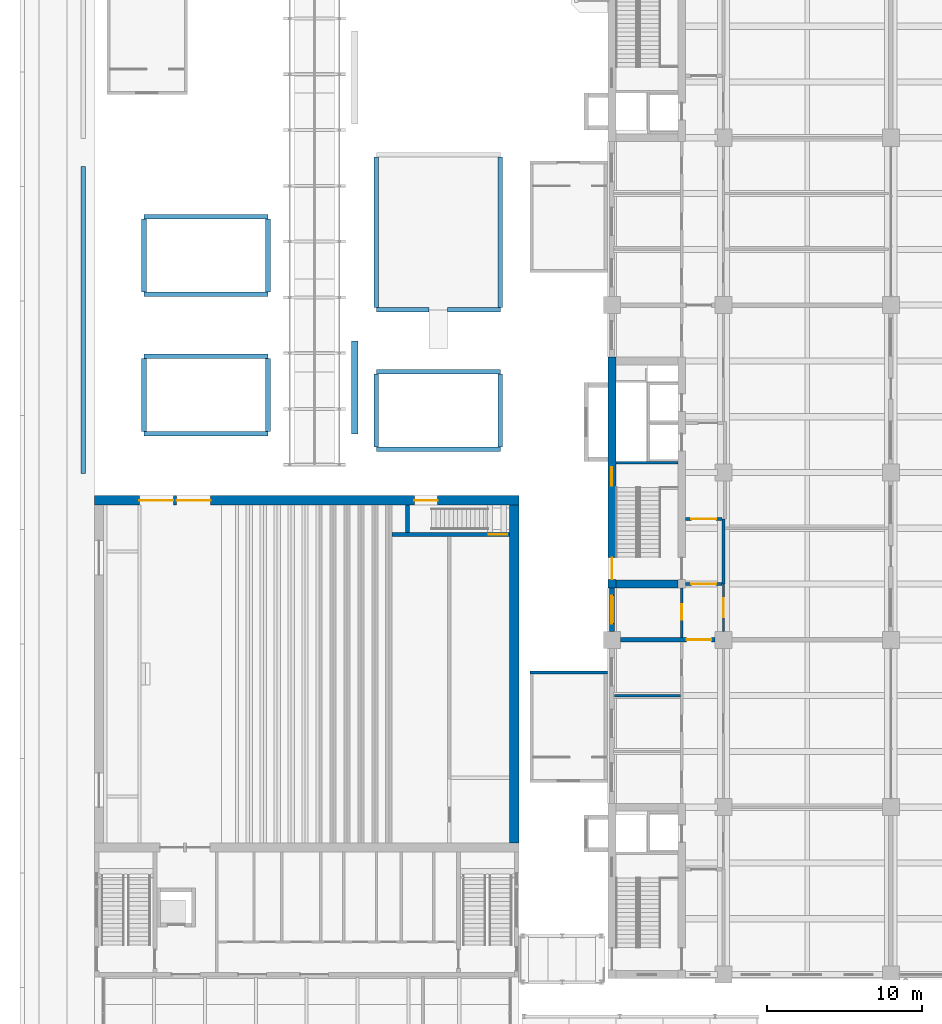
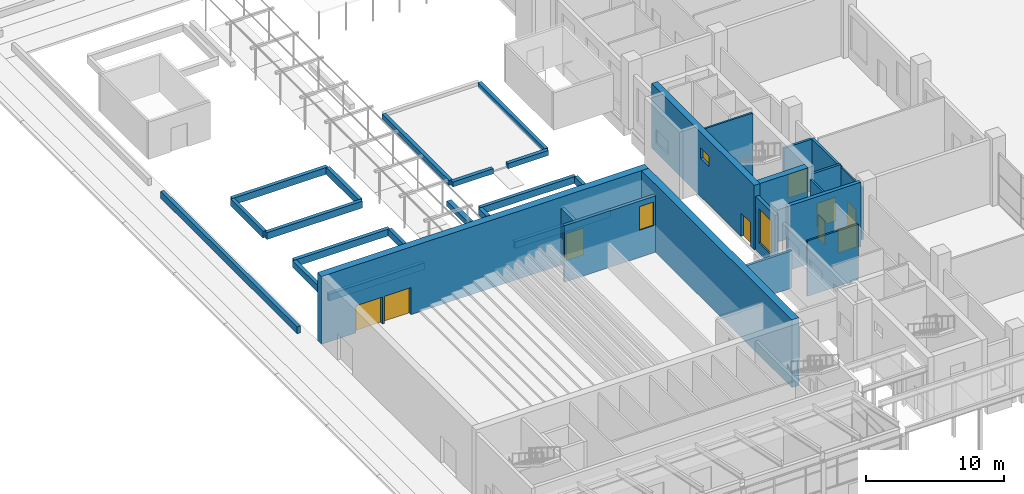
# One storey, part 48 of 71: 34 walls, 10 doors, 2 windows, 12 openings.
"""IFC4 building model written with IfcOpenShell, lengths in metres."""

import ifcopenshell
import ifcopenshell.guid

model = None  # the IFC model being written
_history = None  # IfcOwnerHistory: only IFC2X3 demands one
_inside = {}  # id of a spatial element -> (the spatial element, [elements in it])
_under = {}  # id of a project, library or spatial element -> (it, [spatial elements below it])
_declared = {}  # id of a project -> (the project, [libraries it declares])
_typed = {}  # id of a type object -> (the type object, [elements of that type])
_made_of = {}  # id of a material, layer set ... -> (it, [elements and type objects made of it])


def new_model(schema):
    """Start an empty IFC model of exactly this schema.

    Asked for "IFC4X3", IfcOpenShell would pick the latest addendum, in which some entities
    have other attributes; the version numbers below select the first issue.
    IFC2X3 requires an IfcOwnerHistory on every rooted entity: one is made here for all.
    """
    global model, _history
    if schema == "IFC4X3":
        model = ifcopenshell.file(schema_version=(4, 3, 0, 0))
    else:
        model = ifcopenshell.file(schema=schema)
    _inside.clear()
    _under.clear()
    _declared.clear()
    _typed.clear()
    _made_of.clear()
    _history = None
    if model.schema == "IFC2X3":
        org = make("IfcOrganization", Name="unknown")
        user = make(
            "IfcPersonAndOrganization",
            ThePerson=make("IfcPerson", FamilyName="unknown"),
            TheOrganization=org,
        )
        app = make(
            "IfcApplication",
            ApplicationDeveloper=org,
            Version="unknown",
            ApplicationFullName="unknown",
            ApplicationIdentifier="unknown",
        )
        _history = make(
            "IfcOwnerHistory",
            OwningUser=user,
            OwningApplication=app,
            ChangeAction="ADDED",
            CreationDate=0,
        )
    return model


def make(cls, **values):
    """One entity of the class cls with the attributes given. An attribute that is None is left unset."""
    return model.create_entity(
        cls, **{name: value for name, value in values.items() if value is not None}
    )


def rooted(cls, **values):
    """An entity with a GlobalId (a new one), such as an element, a storey or a relation."""
    return make(cls, GlobalId=ifcopenshell.guid.new(), OwnerHistory=_history, **values)


def si_unit(unit_type, name, prefix=None):
    """IfcSIUnit, for example si_unit("LENGTHUNIT", "METRE", prefix="MILLI")."""
    return make("IfcSIUnit", UnitType=unit_type, Prefix=prefix, Name=name)


def assignment(units):
    """IfcUnitAssignment: the units of a project."""
    return None if units is None else make("IfcUnitAssignment", Units=units)


def point(xyz):
    """IfcCartesianPoint."""
    return None if xyz is None else make("IfcCartesianPoint", Coordinates=xyz)


def direction(xyz):
    """IfcDirection."""
    return None if xyz is None else make("IfcDirection", DirectionRatios=xyz)


def frame(location, z_axis=None, x_axis=None):
    """IfcAxis2Placement3D, a coordinate frame: its origin and axes. An axis left out is left unset."""
    return make(
        "IfcAxis2Placement3D",
        Location=point(location),
        Axis=direction(z_axis),
        RefDirection=direction(x_axis),
    )


def frame_2d(location, x_axis=None):
    """IfcAxis2Placement2D, a coordinate frame in the plane: its origin and x axis."""
    return make(
        "IfcAxis2Placement2D", Location=point(location), RefDirection=direction(x_axis)
    )


def origin():
    """The frame at (0, 0, 0) with its axes left unset."""
    return frame((0.0, 0.0, 0.0))


def place(relative_to, where):
    """IfcLocalPlacement: puts the frame where relative to a parent placement (None: the world)."""
    return make(
        "IfcLocalPlacement", PlacementRelTo=relative_to, RelativePlacement=where
    )


def context(
    kind, dimensions, precision=None, world=None, true_north=None, identifier=None
):
    """IfcGeometricRepresentationContext, for example the 3D "Model" context."""
    return make(
        "IfcGeometricRepresentationContext",
        ContextIdentifier=identifier,
        ContextType=kind,
        CoordinateSpaceDimension=dimensions,
        Precision=precision,
        WorldCoordinateSystem=world,
        TrueNorth=true_north,
    )


def subcontext(parent, identifier, kind, view, scale=None):
    """IfcGeometricRepresentationSubContext, for example "Body" below "Model"."""
    return make(
        "IfcGeometricRepresentationSubContext",
        ContextIdentifier=identifier,
        ContextType=kind,
        ParentContext=parent,
        TargetScale=scale,
        TargetView=view,
    )


def project(units=None, contexts=None):
    """IfcProject with its units and contexts."""
    return rooted(
        "IfcProject",
        Name="project",
        RepresentationContexts=contexts,
        UnitsInContext=assignment(units),
    )


def spatial(cls, under=None, at=None, **own):
    """A site, building, storey or space (cls), placed at a placement, below another one or the project."""
    s = rooted(cls, ObjectPlacement=at, **own)
    if under is not None:
        _under.setdefault(under.id(), (under, []))[1].append(s)
    return s


def profile(cls, at=None, kind="AREA", **sizes):
    """A parametric profile (cls). Its sizes go by their IFC names, for example OverallWidth=200.0."""
    return make(cls, ProfileType=kind, Position=at, **sizes)


def rectangle(**sizes):
    """IfcRectangleProfileDef."""
    return profile("IfcRectangleProfileDef", **sizes)


def extrude(swept, where, along, depth):
    """IfcExtrudedAreaSolid: the profile swept, set in the frame where, extruded along a direction by depth."""
    return make(
        "IfcExtrudedAreaSolid",
        SweptArea=swept,
        Position=where,
        ExtrudedDirection=direction(along),
        Depth=depth,
    )


def shape(context_of_items, identifier, shape_type, items):
    """IfcShapeRepresentation: the items that make up one representation, for example the "Body"."""
    return make(
        "IfcShapeRepresentation",
        ContextOfItems=context_of_items,
        RepresentationIdentifier=identifier,
        RepresentationType=shape_type,
        Items=items,
    )


def material(Name=None, Category=None):
    """IfcMaterial."""
    return make("IfcMaterial", Name=Name, Category=Category)


def layer(
    of_material, thickness, ventilated=None, Name=None, Category=None, Priority=None
):
    """IfcMaterialLayer: one layer of a wall or slab, of a material (None: an air gap)."""
    return make(
        "IfcMaterialLayer",
        Material=of_material,
        LayerThickness=thickness,
        IsVentilated=ventilated,
        Name=Name,
        Category=Category,
        Priority=Priority,
    )


def layer_set(layers, Name=None):
    """IfcMaterialLayerSet."""
    return make("IfcMaterialLayerSet", MaterialLayers=layers, LayerSetName=Name)


def made_of(thing, what):
    """Note that an element or type object is made of a material, layer set ...; save() writes the relation."""
    if what is not None:
        _made_of.setdefault(what.id(), (what, []))[1].append(thing)
    return thing


def type_object(cls, material=None, **own):
    """A type object (cls), such as IfcWallType, which elements share."""
    return made_of(rooted(cls, **own), material)


def element(
    cls,
    number,
    at=None,
    inside=None,
    cuts=None,
    type_object=None,
    material=None,
    context=None,
    identifier="Body",
    shape_type=None,
    held_by="IfcProductDefinitionShape",
    body=None,
    shapes=None,
    **own,
):
    """One element of the class cls, such as IfcWall. Its Tag is "e" and its number.

    at: its placement. inside: the storey or other place that contains it. cuts: it is an
    opening in that element (IfcRelVoidsElement). A single representation is given by context,
    identifier, shape_type and body (its items); several are given by shapes. held_by: the class
    of the entity that holds the representations. save() writes the other relations.
    """
    e = rooted(cls, Tag="e%d" % number, ObjectPlacement=at, **own)
    if body is not None:
        shapes = [shape(context, identifier, shape_type, body)]
    if shapes is not None:
        e.Representation = make(held_by, Representations=shapes)
    if inside is not None:
        _inside.setdefault(inside.id(), (inside, []))[1].append(e)
    if cuts is not None:
        rooted(
            "IfcRelVoidsElement", RelatingBuildingElement=cuts, RelatedOpeningElement=e
        )
    if type_object is not None:
        _typed.setdefault(type_object.id(), (type_object, []))[1].append(e)
    return made_of(e, material)


def fill(opening, filler):
    """IfcRelFillsElement: the door or window that sits in an opening."""
    return rooted(
        "IfcRelFillsElement",
        RelatingOpeningElement=opening,
        RelatedBuildingElement=filler,
    )


def aggregate(whole, parts):
    """IfcRelAggregates: a whole, such as a stair, and the parts it consists of."""
    return rooted("IfcRelAggregates", RelatingObject=whole, RelatedObjects=parts)


def save(model, path):
    """Write the relations noted so far, then the file.

    IfcRelAggregates (storeys below a building ...), IfcRelContainedInSpatialStructure (elements
    in a storey), IfcRelDefinesByType, IfcRelAssociatesMaterial and IfcRelDeclares: one each for
    every whole, place, type object, material and project.
    """
    for whole, parts in _under.values():
        aggregate(whole, parts)
    for where, things in _inside.values():
        rooted(
            "IfcRelContainedInSpatialStructure",
            RelatedElements=things,
            RelatingStructure=where,
        )
    for kind, things in _typed.values():
        rooted("IfcRelDefinesByType", RelatedObjects=things, RelatingType=kind)
    for what, things in _made_of.values():
        rooted("IfcRelAssociatesMaterial", RelatedObjects=things, RelatingMaterial=what)
    for by, libraries in _declared.values():
        rooted("IfcRelDeclares", RelatingContext=by, RelatedDefinitions=libraries)
    model.write(path)


model = new_model("IFC4")

# Units and contexts
model_context = context("Model", 3, precision=1e-05, world=origin(), true_north=direction((0.0, 1.0)))
body_context = subcontext(model_context, "Body", "Model", "MODEL_VIEW")
ifc_project = project(units=[si_unit("LENGTHUNIT", "METRE"), si_unit("AREAUNIT", "SQUARE_METRE"), si_unit("VOLUMEUNIT", "CUBIC_METRE"), si_unit("PLANEANGLEUNIT", "RADIAN"), si_unit("MASSUNIT", "GRAM", prefix="KILO")], contexts=[model_context])

# Site, building, storey
site_placement = place(None, origin())
site = spatial("IfcSite", under=ifc_project, at=site_placement, CompositionType="ELEMENT")
building_placement = place(site_placement, origin())
building = spatial("IfcBuilding", under=site, at=building_placement, Name="Basin Gate Institute", CompositionType="ELEMENT")
storey_placement = place(building_placement, origin())
storey = spatial("IfcBuildingStorey", under=building, at=storey_placement, Name="L00", CompositionType="ELEMENT", Elevation=0.0)

# Wall, opening, door
ifc_material_1 = material(Name="Concrete 40 MPa", Category="concrete")
ifc_layer_1 = layer(ifc_material_1, 0.25)
ifc_layer_set_1 = layer_set([ifc_layer_1], Name="Concrete 40 MPa")
wall_type_1 = type_object("IfcWallType", Name="Block enclosure wall W73 REI 120", PredefinedType="SOLIDWALL", material=ifc_layer_set_1)
wall_1_placement = place(storey_placement, frame((47.0, 63.5, 0.0), z_axis=(0.0, 0.0, 1.0), x_axis=(1.0, 0.0, 0.0)))
wall_1 = element("IfcWall", 1, at=wall_1_placement, inside=storey, type_object=wall_type_1, material=ifc_layer_set_1, Name="Stair enclosure wall ST-T7", PredefinedType="SOLIDWALL", context=body_context, shape_type="SweptSolid", body=[
    extrude(rectangle(XDim=7.60009765625, YDim=0.25, at=frame_2d((3.800048828125, 0.0))), origin(), (0.0, 0.0, 1.0), 5.0),
])
opening_1_placement = place(wall_1_placement, frame((6.25, 0.0, 2.39990234375)))
opening_1 = element("IfcOpeningElement", 2, at=opening_1_placement, cuts=wall_1, Name="Opening D914", PredefinedType="OPENING", context=body_context, shape_type="SweptSolid", body=[
    extrude(rectangle(XDim=1.199951171875, YDim=2.10009765625, at=frame_2d((0.60009765625, 1.050048828125))), frame((0.0, 0.135009765625, 0.0), z_axis=(0.0, -1.0, 0.0), x_axis=(1.0, 0.0, 0.0)), (0.0, 0.0, 1.0), 0.27001953125),
])
ifc_material_2 = material(Name="Timber door leaf in steel frame", Category="steel")
door_type_1 = type_object("IfcDoorType", Name="Block door 1200 single swing", OperationType="NOTDEFINED", PredefinedType="DOOR", material=ifc_material_2)
door_1_placement = place(opening_1_placement, frame((1.199951171875, 0.0, 0.0), z_axis=(0.0, 0.0, 1.0), x_axis=(-1.0, 0.0, 0.0)))
door_1 = element("IfcDoor", 3, at=door_1_placement, inside=storey, type_object=door_type_1, material=ifc_material_2, Name="Lecture Theatre rear platform door from stair ST-T7", OperationType="SINGLE_SWING_LEFT", OverallHeight=2.10009765625, OverallWidth=1.199951171875, PredefinedType="DOOR", context=body_context, shape_type="SweptSolid", body=[
    extrude(rectangle(XDim=1.199951171875, YDim=2.10009765625, at=frame_2d((0.60009765625, 1.050048828125))), frame((0.0, 0.02490234375, 0.0), z_axis=(0.0, -1.0, 0.0), x_axis=(1.0, 0.0, 0.0)), (0.0, 0.0, 1.0), 0.050048828125),
])
fill(opening_1, door_1)

# Walls
wall_2_placement = place(storey_placement, frame((48.0, 63.625, 0.0), z_axis=(0.0, 0.0, 1.0), x_axis=(0.0, 1.0, 0.0)))
element("IfcWall", 4, at=wall_2_placement, inside=storey, type_object=wall_type_1, material=ifc_layer_set_1, Name="Stair enclosure wall ST-T7 west", PredefinedType="SOLIDWALL", context=body_context, shape_type="SweptSolid", body=[
    extrude(rectangle(XDim=1.77490234375, YDim=0.25, at=frame_2d((0.887451171875, 0.0))), origin(), (0.0, 0.0, 1.0), 5.0),
])
ifc_material_3 = material(Name="Concrete 35 MPa", Category="concrete")
ifc_layer_2 = layer(ifc_material_3, 0.300048828125)
ifc_layer_set_2 = layer_set([ifc_layer_2], Name="Concrete 35 MPa")
wall_type_2 = type_object("IfcWallType", Name="Edge planter wall PL2", PredefinedType="SOLIDWALL", material=ifc_layer_set_2)
wall_3_placement = place(storey_placement, frame((27.090087890625, 67.43994140625, 0.0), z_axis=(0.0, 0.0, 1.0), x_axis=(0.0, 1.0, 0.0)))
element("IfcWall", 5, at=wall_3_placement, inside=storey, type_object=wall_type_2, material=ifc_layer_set_2, Name="Edge planter wall W14", PredefinedType="SOLIDWALL", context=body_context, shape_type="SweptSolid", body=[
    extrude(rectangle(XDim=19.800048828125, YDim=0.300048828125, at=frame_2d((9.89990234375, 0.0))), origin(), (0.0, 0.0, 1.0), 0.60009765625),
])

# Wall, opening, door
ifc_material_4 = material(Name="Fire-rated masonry", Category="masonry")
ifc_layer_3 = layer(ifc_material_4, 0.199951171875)
ifc_layer_set_3 = layer_set([ifc_layer_3], Name="Enclosure wall PW2 200 EI 60")
wall_type_3 = type_object("IfcWallType", Name="Enclosure wall PW2 200 EI 60", PredefinedType="PARTITIONING", material=ifc_layer_set_3)
wall_4_placement = place(storey_placement, frame((65.949951171875, 60.300048828125, 0.0), z_axis=(0.0, 0.0, 1.0), x_axis=(1.0, 0.0, 0.0)))
wall_4 = element("IfcWall", 6, at=wall_4_placement, inside=storey, type_object=wall_type_3, material=ifc_layer_set_3, Name="Smoke lobby enclosure wall PW2 L00", PredefinedType="PARTITIONING", context=body_context, shape_type="SweptSolid", body=[
    extrude(rectangle(XDim=2.35009765625, YDim=0.199951171875, at=frame_2d((1.175048828125, 0.0))), origin(), (0.0, 0.0, 1.0), 4.89990234375),
])
opening_2_placement = place(wall_4_placement, frame((0.375, 0.0, 0.0)))
opening_2 = element("IfcOpeningElement", 7, at=opening_2_placement, cuts=wall_4, Name="Opening DR040", PredefinedType="OPENING", context=body_context, shape_type="SweptSolid", body=[
    extrude(rectangle(XDim=1.60009765625, YDim=2.10009765625, at=frame_2d((0.800048828125, 1.050048828125))), frame((0.0, 0.10986328125, 0.0), z_axis=(0.0, -1.0, 0.0), x_axis=(1.0, 0.0, 0.0)), (0.0, 0.0, 1.0), 0.219970703125),
])
ifc_material_5 = material(Name="Steel fire door", Category="steel")
door_type_2 = type_object("IfcDoorType", Name="FD60 Smoke lobby door pair D8", OperationType="DOUBLE_DOOR_SINGLE_SWING", PredefinedType="DOOR", material=ifc_material_5)
door_2_placement = place(opening_2_placement, origin())
door_2 = element("IfcDoor", 8, at=door_2_placement, inside=storey, type_object=door_type_2, material=ifc_material_5, Name="Smoke lobby door SS2 L00", OperationType="DOUBLE_DOOR_SINGLE_SWING", OverallHeight=2.10009765625, OverallWidth=1.60009765625, PredefinedType="DOOR", context=body_context, shape_type="SweptSolid", body=[
    extrude(rectangle(XDim=1.60009765625, YDim=2.10009765625, at=frame_2d((0.800048828125, 1.050048828125))), frame((0.0, 0.02490234375, 0.0), z_axis=(0.0, -1.0, 0.0), x_axis=(1.0, 0.0, 0.0)), (0.0, 0.0, 1.0), 0.050048828125),
])
fill(opening_2, door_2)

wall_5_placement = place(storey_placement, frame((65.949951171875, 64.5, 0.0), z_axis=(0.0, 0.0, 1.0), x_axis=(1.0, 0.0, 0.0)))
wall_5 = element("IfcWall", 9, at=wall_5_placement, inside=storey, type_object=wall_type_3, material=ifc_layer_set_3, Name="Smoke lobby enclosure wall PW2 L00", PredefinedType="PARTITIONING", context=body_context, shape_type="SweptSolid", body=[
    extrude(rectangle(XDim=2.35009765625, YDim=0.199951171875, at=frame_2d((1.175048828125, 0.0))), origin(), (0.0, 0.0, 1.0), 4.60009765625),
])
opening_3_placement = place(wall_5_placement, frame((0.375, 0.0, 0.0)))
opening_3 = element("IfcOpeningElement", 10, at=opening_3_placement, cuts=wall_5, Name="Opening DR041", PredefinedType="OPENING", context=body_context, shape_type="SweptSolid", body=[
    extrude(rectangle(XDim=1.60009765625, YDim=2.10009765625, at=frame_2d((0.800048828125, 1.050048828125))), frame((0.0, 0.10986328125, 0.0), z_axis=(0.0, -1.0, 0.0), x_axis=(1.0, 0.0, 0.0)), (0.0, 0.0, 1.0), 0.219970703125),
])
door_3_placement = place(opening_3_placement, frame((1.60009765625, 0.0, 0.0), z_axis=(0.0, 0.0, 1.0), x_axis=(-1.0, 0.0, 0.0)))
door_3 = element("IfcDoor", 11, at=door_3_placement, inside=storey, type_object=door_type_2, material=ifc_material_5, Name="Smoke lobby door SS2 L00", OperationType="DOUBLE_DOOR_SINGLE_SWING", OverallHeight=2.10009765625, OverallWidth=1.60009765625, PredefinedType="DOOR", context=body_context, shape_type="SweptSolid", body=[
    extrude(rectangle(XDim=1.60009765625, YDim=2.10009765625, at=frame_2d((0.800048828125, 1.050048828125))), frame((0.0, 0.02490234375, 0.0), z_axis=(0.0, -1.0, 0.0), x_axis=(1.0, 0.0, 0.0)), (0.0, 0.0, 1.0), 0.050048828125),
])
fill(opening_3, door_3)

# Wall
wall_6_placement = place(storey_placement, frame((68.39990234375, 60.300048828125, 0.0), z_axis=(0.0, 0.0, 1.0), x_axis=(0.0, 1.0, 0.0)))
element("IfcWall", 12, at=wall_6_placement, inside=storey, type_object=wall_type_3, material=ifc_layer_set_3, Name="Smoke lobby enclosure wall PW2 L00", PredefinedType="PARTITIONING", context=body_context, shape_type="SweptSolid", body=[
    extrude(rectangle(XDim=4.199951171875, YDim=0.199951171875, at=frame_2d((2.10009765625, 0.0))), origin(), (0.0, 0.0, 1.0), 4.60009765625),
])

# Wall, opening, window
ifc_material_6 = material(Name="Aluminium-faced insulated panel wall", Category="aluminium")
ifc_layer_4 = layer(ifc_material_6, 0.300048828125)
ifc_layer_set_4 = layer_set([ifc_layer_4], Name="External wall EW1 EI 120")
wall_type_4 = type_object("IfcWallType", Name="External wall EW1 EI 120", PredefinedType="STANDARD", material=ifc_layer_set_4)
wall_7_placement = place(storey_placement, frame((61.199951171875, 57.25, 0.0), z_axis=(0.0, 0.0, 1.0), x_axis=(0.0, 1.0, 0.0)))
wall_7 = element("IfcWall", 13, at=wall_7_placement, inside=storey, type_object=wall_type_4, material=ifc_layer_set_4, Name="External wall W facade L00 2", PredefinedType="STANDARD", context=body_context, shape_type="SweptSolid", body=[
    extrude(rectangle(XDim=2.800048828125, YDim=0.300048828125, at=frame_2d((1.39990234375, 0.0))), origin(), (0.0, 0.0, 1.0), 4.699951171875),
])
opening_4_placement = place(wall_7_placement, frame((0.5, 0.0, 0.89990234375)))
opening_4 = element("IfcOpeningElement", 14, at=opening_4_placement, cuts=wall_7, Name="Opening WN2", PredefinedType="OPENING", context=body_context, shape_type="SweptSolid", body=[
    extrude(rectangle(XDim=1.800048828125, YDim=3.0, at=frame_2d((0.89990234375, 1.5))), frame((0.0, 0.16015625, 0.0), z_axis=(0.0, -1.0, 0.0), x_axis=(1.0, 0.0, 0.0)), (0.0, 0.0, 1.0), 0.320068359375),
])
ifc_material_7 = material(Name="Aluminium-framed double glazing", Category="aluminium")
window_type_1 = type_object("IfcWindowType", Name="Podium window WN2", PartitioningType="SINGLE_PANEL", PredefinedType="WINDOW", material=ifc_material_7)
window_1_placement = place(opening_4_placement, origin())
window_1 = element("IfcWindow", 15, at=window_1_placement, inside=storey, type_object=window_type_1, material=ifc_material_7, Name="Podium window W facade L00 bay 7", OverallHeight=3.0, OverallWidth=1.800048828125, PartitioningType="SINGLE_PANEL", PredefinedType="WINDOW", context=body_context, shape_type="SweptSolid", body=[
    extrude(rectangle(XDim=1.800048828125, YDim=3.0, at=frame_2d((0.89990234375, 1.5))), frame((0.0, 0.030029296875, 0.0), z_axis=(0.0, -1.0, 0.0), x_axis=(1.0, 0.0, 0.0)), (0.0, 0.0, 1.0), 0.06005859375),
])
fill(opening_4, window_1)

# Wall, opening, door
ifc_material_8 = material(Name="Gypsum board on steel stud", Category="steel")
ifc_layer_5 = layer(ifc_material_8, 0.14990234375)
ifc_layer_set_5 = layer_set([ifc_layer_5], Name="Gypsum board on steel stud")
wall_type_5 = type_object("IfcWallType", Name="Partition PW1 150 EI 60", PredefinedType="PARTITIONING", material=ifc_layer_set_5)
wall_8_placement = place(storey_placement, frame((65.699951171875, 56.85009765625, 0.0), z_axis=(0.0, 0.0, 1.0), x_axis=(0.0, 1.0, 0.0)))
wall_8 = element("IfcWall", 16, at=wall_8_placement, inside=storey, type_object=wall_type_5, material=ifc_layer_set_5, Name="Corridor wall PW1 L00", PredefinedType="PARTITIONING", context=body_context, shape_type="SweptSolid", body=[
    extrude(rectangle(XDim=3.199951171875, YDim=0.14990234375, at=frame_2d((1.60009765625, 0.0))), origin(), (0.0, 0.0, 1.0), 4.60009765625),
])
opening_5_placement = place(wall_8_placement, frame((1.14990234375, 0.0, 0.0)))
opening_5 = element("IfcOpeningElement", 17, at=opening_5_placement, cuts=wall_8, Name="Opening DR026", PredefinedType="OPENING", context=body_context, shape_type="SweptSolid", body=[
    extrude(rectangle(XDim=1.0, YDim=2.10009765625, at=frame_2d((0.5, 1.050048828125))), frame((0.0, 0.0849609375, 0.0), z_axis=(0.0, -1.0, 0.0), x_axis=(1.0, 0.0, 0.0)), (0.0, 0.0, 1.0), 0.169921875),
])
ifc_material_9 = material(Name="Steel fire door", Category="steel")
door_type_3 = type_object("IfcDoorType", Name="FD30 Store door D4", OperationType="NOTDEFINED", PredefinedType="DOOR", material=ifc_material_9)
door_4_placement = place(opening_5_placement, origin())
door_4 = element("IfcDoor", 18, at=door_4_placement, inside=storey, type_object=door_type_3, material=ifc_material_9, Name="Door to Cleaning Store L00", OperationType="SINGLE_SWING_RIGHT", OverallHeight=2.10009765625, OverallWidth=1.0, PredefinedType="DOOR", context=body_context, shape_type="SweptSolid", body=[
    extrude(rectangle(XDim=1.0, YDim=2.10009765625, at=frame_2d((0.5, 1.050048828125))), frame((0.0, 0.02490234375, 0.0), z_axis=(0.0, -1.0, 0.0), x_axis=(1.0, 0.0, 0.0)), (0.0, 0.0, 1.0), 0.050048828125),
])
fill(opening_5, door_4)

wall_9_placement = place(storey_placement, frame((68.39990234375, 57.25, 0.0), z_axis=(0.0, 0.0, 1.0), x_axis=(0.0, 1.0, 0.0)))
wall_9 = element("IfcWall", 19, at=wall_9_placement, inside=storey, type_object=wall_type_5, material=ifc_layer_set_5, Name="Laboratory corridor wall PW1 L00", PredefinedType="PARTITIONING", context=body_context, shape_type="SweptSolid", body=[
    extrude(rectangle(XDim=3.050048828125, YDim=0.14990234375, at=frame_2d((1.52490234375, 0.0))), origin(), (0.0, 0.0, 1.0), 4.60009765625),
])
opening_6_placement = place(wall_9_placement, frame((0.925048828125, 0.0, 0.0)))
opening_6 = element("IfcOpeningElement", 20, at=opening_6_placement, cuts=wall_9, Name="Opening DR023", PredefinedType="OPENING", context=body_context, shape_type="SweptSolid", body=[
    extrude(rectangle(XDim=1.199951171875, YDim=2.10009765625, at=frame_2d((0.60009765625, 1.050048828125))), frame((0.0, 0.0849609375, 0.0), z_axis=(0.0, -1.0, 0.0), x_axis=(1.0, 0.0, 0.0)), (0.0, 0.0, 1.0), 0.169921875),
])
ifc_material_10 = material(Name="Timber fire door", Category="wood")
door_type_4 = type_object("IfcDoorType", Name="FD30 Laboratory door D2", OperationType="DOUBLE_DOOR_SINGLE_SWING", PredefinedType="DOOR", material=ifc_material_10)
door_5_placement = place(opening_6_placement, frame((1.199951171875, 0.0, 0.0), z_axis=(0.0, 0.0, 1.0), x_axis=(-1.0, 0.0, 0.0)))
door_5 = element("IfcDoor", 21, at=door_5_placement, inside=storey, type_object=door_type_4, material=ifc_material_10, Name="Door to Cafe 0019 L00", OperationType="DOUBLE_DOOR_SINGLE_SWING", OverallHeight=2.10009765625, OverallWidth=1.199951171875, PredefinedType="DOOR", context=body_context, shape_type="SweptSolid", body=[
    extrude(rectangle(XDim=1.199951171875, YDim=2.10009765625, at=frame_2d((0.60009765625, 1.050048828125))), frame((0.0, 0.02490234375, 0.0), z_axis=(0.0, -1.0, 0.0), x_axis=(1.0, 0.0, 0.0)), (0.0, 0.0, 1.0), 0.050048828125),
])
fill(opening_6, door_5)

# Walls
ifc_material_11 = material(Name="Gypsum board on steel stud", Category="steel")
ifc_layer_6 = layer(ifc_material_11, 0.14990234375)
ifc_layer_set_6 = layer_set([ifc_layer_6], Name="Gypsum board on steel stud")
wall_type_6 = type_object("IfcWallType", Name="Partition PW4 150", PredefinedType="PARTITIONING", material=ifc_layer_set_6)
wall_10_placement = place(storey_placement, frame((61.35009765625, 53.10009765625, 0.0), z_axis=(0.0, 0.0, 1.0), x_axis=(1.0, 0.0, 0.0)))
element("IfcWall", 22, at=wall_10_placement, inside=storey, type_object=wall_type_6, material=ifc_layer_set_6, Name="Office partition PW4 L00", PredefinedType="PARTITIONING", context=body_context, shape_type="SweptSolid", body=[
    extrude(rectangle(XDim=4.27490234375, YDim=0.14990234375, at=frame_2d((2.137451171875, 0.0))), origin(), (0.0, 0.0, 1.0), 4.89990234375),
])
ifc_material_12 = material(Name="Concrete 35 MPa", Category="concrete")
ifc_layer_7 = layer(ifc_material_12, 0.300048828125)
ifc_layer_set_7 = layer_set([ifc_layer_7], Name="Concrete 35 MPa")
wall_type_7 = type_object("IfcWallType", Name="Planter bed wall PL3", PredefinedType="SOLIDWALL", material=ifc_layer_set_7)
for number, where, z_axis, x_axis, name in (
    (23, (31.0, 70.0, 0.0), (0.0, 0.0, 1.0), (1.0, 0.0, 0.0), "Laboratory Garden planter bed 1 wall (soil 550 mm) S"),
    (24, (31.0, 75.0, 0.0), (0.0, 0.0, 1.0), (1.0, 0.0, 0.0), "Laboratory Garden planter bed 1 wall (soil 550 mm) N"),
):
    element("IfcWall", number, at=place(storey_placement, frame(where, z_axis=z_axis, x_axis=x_axis)), inside=storey, type_object=wall_type_7, material=ifc_layer_set_7, Name=name, PredefinedType="SOLIDWALL", context=body_context, shape_type="SweptSolid", body=[
        extrude(rectangle(XDim=8.0, YDim=0.300048828125, at=frame_2d((4.0, 0.0))), origin(), (0.0, 0.0, 1.0), 0.60009765625),
    ])
for number, where, z_axis, x_axis, name in (
    (25, (31.0, 70.14990234375, 0.0), (0.0, 0.0, 1.0), (0.0, 1.0, 0.0), "Laboratory Garden planter bed 1 wall (soil 550 mm) W"),
    (26, (39.0, 70.14990234375, 0.0), (0.0, 0.0, 1.0), (0.0, 1.0, 0.0), "Laboratory Garden planter bed 1 wall (soil 550 mm) E"),
):
    element("IfcWall", number, at=place(storey_placement, frame(where, z_axis=z_axis, x_axis=x_axis)), inside=storey, type_object=wall_type_7, material=ifc_layer_set_7, Name=name, PredefinedType="SOLIDWALL", context=body_context, shape_type="SweptSolid", body=[
        extrude(rectangle(XDim=4.7001953125, YDim=0.300048828125, at=frame_2d((2.35009765625, 0.0))), origin(), (0.0, 0.0, 1.0), 0.60009765625),
    ])
for number, where, z_axis, x_axis, name in (
    (27, (31.0, 79.0, 0.0), (0.0, 0.0, 1.0), (1.0, 0.0, 0.0), "Laboratory Garden planter bed 2 wall (soil 550 mm) S"),
    (28, (31.0, 84.0, 0.0), (0.0, 0.0, 1.0), (1.0, 0.0, 0.0), "Laboratory Garden planter bed 2 wall (soil 550 mm) N"),
):
    element("IfcWall", number, at=place(storey_placement, frame(where, z_axis=z_axis, x_axis=x_axis)), inside=storey, type_object=wall_type_7, material=ifc_layer_set_7, Name=name, PredefinedType="SOLIDWALL", context=body_context, shape_type="SweptSolid", body=[
        extrude(rectangle(XDim=8.0, YDim=0.300048828125, at=frame_2d((4.0, 0.0))), origin(), (0.0, 0.0, 1.0), 0.60009765625),
    ])
for number, where, z_axis, x_axis, name in (
    (29, (31.0, 79.14990234375, 0.0), (0.0, 0.0, 1.0), (0.0, 1.0, 0.0), "Laboratory Garden planter bed 2 wall (soil 550 mm) W"),
    (30, (39.0, 79.14990234375, 0.0), (0.0, 0.0, 1.0), (0.0, 1.0, 0.0), "Laboratory Garden planter bed 2 wall (soil 550 mm) E"),
):
    element("IfcWall", number, at=place(storey_placement, frame(where, z_axis=z_axis, x_axis=x_axis)), inside=storey, type_object=wall_type_7, material=ifc_layer_set_7, Name=name, PredefinedType="SOLIDWALL", context=body_context, shape_type="SweptSolid", body=[
        extrude(rectangle(XDim=4.7001953125, YDim=0.300048828125, at=frame_2d((2.35009765625, 0.0))), origin(), (0.0, 0.0, 1.0), 0.60009765625),
    ])
for number, where, z_axis, x_axis, name in (
    (31, (46.0, 69.0, 0.0), (0.0, 0.0, 1.0), (1.0, 0.0, 0.0), "Laboratory Garden planter bed 4 wall (soil 550 mm) S"),
    (32, (46.0, 74.0, 0.0), (0.0, 0.0, 1.0), (1.0, 0.0, 0.0), "Laboratory Garden planter bed 4 wall (soil 550 mm) N"),
):
    element("IfcWall", number, at=place(storey_placement, frame(where, z_axis=z_axis, x_axis=x_axis)), inside=storey, type_object=wall_type_7, material=ifc_layer_set_7, Name=name, PredefinedType="SOLIDWALL", context=body_context, shape_type="SweptSolid", body=[
        extrude(rectangle(XDim=8.0, YDim=0.300048828125, at=frame_2d((4.0, 0.0))), origin(), (0.0, 0.0, 1.0), 0.60009765625),
    ])
for number, where, z_axis, x_axis, name in (
    (33, (46.0, 69.14990234375, 0.0), (0.0, 0.0, 1.0), (0.0, 1.0, 0.0), "Laboratory Garden planter bed 4 wall (soil 550 mm) W"),
    (34, (54.0, 69.14990234375, 0.0), (0.0, 0.0, 1.0), (0.0, 1.0, 0.0), "Laboratory Garden planter bed 4 wall (soil 550 mm) E"),
):
    element("IfcWall", number, at=place(storey_placement, frame(where, z_axis=z_axis, x_axis=x_axis)), inside=storey, type_object=wall_type_7, material=ifc_layer_set_7, Name=name, PredefinedType="SOLIDWALL", context=body_context, shape_type="SweptSolid", body=[
        extrude(rectangle(XDim=4.7001953125, YDim=0.300048828125, at=frame_2d((2.35009765625, 0.0))), origin(), (0.0, 0.0, 1.0), 0.60009765625),
    ])
ifc_material_13 = material(Name="Concrete 35 MPa", Category="concrete")
ifc_layer_8 = layer(ifc_material_13, 0.300048828125)
ifc_layer_set_8 = layer_set([ifc_layer_8], Name="Concrete 35 MPa")
wall_type_8 = type_object("IfcWallType", Name="Rain garden wall RG1", PredefinedType="SOLIDWALL", material=ifc_layer_set_8)
for number, where, z_axis, x_axis, name in (
    (35, (46.0, 78.0, 0.0), (0.0, 0.0, 1.0), (1.0, 0.0, 0.0), "Laboratory Garden rain garden 1 wall S"),
    (36, (50.60009765625, 78.0, 0.0), (0.0, 0.0, 1.0), (1.0, 0.0, 0.0), "Laboratory Garden rain garden 1 wall S"),
):
    element("IfcWall", number, at=place(storey_placement, frame(where, z_axis=z_axis, x_axis=x_axis)), inside=storey, type_object=wall_type_8, material=ifc_layer_set_8, Name=name, PredefinedType="SOLIDWALL", context=body_context, shape_type="SweptSolid", body=[
        extrude(rectangle(XDim=3.39990234375, YDim=0.300048828125, at=frame_2d((1.699951171875, 0.0))), origin(), (0.0, 0.0, 1.0), 0.449951171875),
    ])
for number, where, z_axis, x_axis, name in (
    (37, (46.0, 78.14990234375, 0.0), (0.0, 0.0, 1.0), (0.0, 1.0, 0.0), "Laboratory Garden rain garden 1 wall W"),
    (38, (54.0, 78.14990234375, 0.0), (0.0, 0.0, 1.0), (0.0, 1.0, 0.0), "Laboratory Garden rain garden 1 wall E"),
):
    element("IfcWall", number, at=place(storey_placement, frame(where, z_axis=z_axis, x_axis=x_axis)), inside=storey, type_object=wall_type_8, material=ifc_layer_set_8, Name=name, PredefinedType="SOLIDWALL", context=body_context, shape_type="SweptSolid", body=[
        extrude(rectangle(XDim=9.7001953125, YDim=0.300048828125, at=frame_2d((4.85009765625, 0.0))), origin(), (0.0, 0.0, 1.0), 0.449951171875),
    ])
ifc_material_14 = material(Name="Concrete 35 MPa", Category="concrete")
ifc_layer_9 = layer(ifc_material_14, 0.39990234375)
ifc_layer_set_9 = layer_set([ifc_layer_9], Name="Concrete 35 MPa")
wall_type_9 = type_object("IfcWallType", Name="Seating wall LW1", PredefinedType="SOLIDWALL", material=ifc_layer_set_9)
wall_11_placement = place(storey_placement, frame((44.60009765625, 70.0, 0.0), z_axis=(0.0, 0.0, 1.0), x_axis=(0.0, 1.0, 0.0)))
element("IfcWall", 39, at=wall_11_placement, inside=storey, type_object=wall_type_9, material=ifc_layer_set_9, Name="Laboratory Garden seating wall 1", PredefinedType="SOLIDWALL", context=body_context, shape_type="SweptSolid", body=[
    extrude(rectangle(XDim=6.0, YDim=0.39990234375, at=frame_2d((3.0, 0.0))), origin(), (0.0, 0.0, 1.0), 0.449951171875),
])
ifc_material_15 = material(Name="Concrete 35 MPa", Category="concrete")
ifc_layer_10 = layer(ifc_material_15, 0.199951171875)
ifc_layer_set_10 = layer_set([ifc_layer_10], Name="Concrete 35 MPa")
wall_type_10 = type_object("IfcWallType", Name="Stair head house wall 200", PredefinedType="SOLIDWALL", material=ifc_layer_set_10)
wall_12_placement = place(storey_placement, frame((55.89990234375, 54.60009765625, 0.0), z_axis=(0.0, 0.0, 1.0), x_axis=(1.0, 0.0, 0.0)))
element("IfcWall", 40, at=wall_12_placement, inside=storey, type_object=wall_type_10, material=ifc_layer_set_10, Name="Stair head house BS1 wall", PredefinedType="SOLIDWALL", context=body_context, shape_type="SweptSolid", body=[
    extrude(rectangle(XDim=5.0, YDim=0.199951171875, at=frame_2d((2.5, 0.0))), origin(), (0.0, 0.0, 1.0), 3.300048828125),
])
ifc_material_16 = material(Name="Concrete 50 MPa", Category="concrete")
ifc_layer_11 = layer(ifc_material_16, 0.60009765625)
ifc_layer_set_11 = layer_set([ifc_layer_11], Name="Concrete 50 MPa")
wall_type_11 = type_object("IfcWallType", Name="Theatre auditorium wall W79 REI 180", PredefinedType="SOLIDWALL", material=ifc_layer_set_11)
wall_13_placement = place(storey_placement, frame((54.89990234375, 43.60009765625, 0.0), z_axis=(0.0, 0.0, 1.0), x_axis=(0.0, 1.0, 0.0)))
element("IfcWall", 41, at=wall_13_placement, inside=storey, type_object=wall_type_11, material=ifc_layer_set_11, Name="Theatre rear end wall L00", PredefinedType="SOLIDWALL", context=body_context, shape_type="SweptSolid", body=[
    extrude(rectangle(XDim=21.7998046875, YDim=0.60009765625, at=frame_2d((10.89990234375, 0.0))), origin(), (0.0, 0.0, 1.0), 6.0),
])

# Wall, openings, doors
wall_14_placement = place(storey_placement, frame((27.800048828125, 65.699951171875, 0.0), z_axis=(0.0, 0.0, 1.0), x_axis=(1.0, 0.0, 0.0)))
wall_14 = element("IfcWall", 42, at=wall_14_placement, inside=storey, type_object=wall_type_11, material=ifc_layer_set_11, Name="Theatre auditorium north wall L00", PredefinedType="SOLIDWALL", context=body_context, shape_type="SweptSolid", body=[
    extrude(rectangle(XDim=27.39990234375, YDim=0.60009765625, at=frame_2d((13.699951171875, 0.0))), origin(), (0.0, 0.0, 1.0), 6.0),
])
opening_7_placement = place(wall_14_placement, frame((2.89990234375, 0.0, 0.0)))
opening_7 = element("IfcOpeningElement", 43, at=opening_7_placement, cuts=wall_14, Name="Opening D910", PredefinedType="OPENING", context=body_context, shape_type="SweptSolid", body=[
    extrude(rectangle(XDim=2.199951171875, YDim=2.39990234375, at=frame_2d((1.10009765625, 1.199951171875))), frame((0.0, 0.31005859375, 0.0), z_axis=(0.0, -1.0, 0.0), x_axis=(1.0, 0.0, 0.0)), (0.0, 0.0, 1.0), 0.6201171875),
])
opening_8_placement = place(wall_14_placement, frame((5.300048828125, 0.0, 0.0)))
opening_8 = element("IfcOpeningElement", 44, at=opening_8_placement, cuts=wall_14, Name="Opening D911", PredefinedType="OPENING", context=body_context, shape_type="SweptSolid", body=[
    extrude(rectangle(XDim=2.199951171875, YDim=2.39990234375, at=frame_2d((1.10009765625, 1.199951171875))), frame((0.0, 0.31005859375, 0.0), z_axis=(0.0, -1.0, 0.0), x_axis=(1.0, 0.0, 0.0)), (0.0, 0.0, 1.0), 0.6201171875),
])
opening_9_placement = place(wall_14_placement, frame((20.64990234375, 0.0, 0.0)))
opening_9 = element("IfcOpeningElement", 45, at=opening_9_placement, cuts=wall_14, Name="Opening D915", PredefinedType="OPENING", context=body_context, shape_type="SweptSolid", body=[
    extrude(rectangle(XDim=1.5, YDim=2.39990234375, at=frame_2d((0.75, 1.199951171875))), frame((0.0, 0.31005859375, 0.0), z_axis=(0.0, -1.0, 0.0), x_axis=(1.0, 0.0, 0.0)), (0.0, 0.0, 1.0), 0.6201171875),
])
ifc_material_17 = material(Name="Steel door leaf with glazed vision panel", Category="steel")
door_type_5 = type_object("IfcDoorType", Name="Block door 2200 double swing", OperationType="DOUBLE_DOOR_SINGLE_SWING", PredefinedType="DOOR", material=ifc_material_17)
door_6_placement = place(opening_7_placement, origin())
door_6 = element("IfcDoor", 46, at=door_6_placement, inside=storey, type_object=door_type_5, material=ifc_material_17, Name="Final exit Lecture Theatre N1", OperationType="DOUBLE_DOOR_SINGLE_SWING", OverallHeight=2.39990234375, OverallWidth=2.199951171875, PredefinedType="DOOR", context=body_context, shape_type="SweptSolid", body=[
    extrude(rectangle(XDim=2.199951171875, YDim=2.39990234375, at=frame_2d((1.10009765625, 1.199951171875))), frame((0.0, 0.02490234375, 0.0), z_axis=(0.0, -1.0, 0.0), x_axis=(1.0, 0.0, 0.0)), (0.0, 0.0, 1.0), 0.050048828125),
])
fill(opening_7, door_6)
door_7_placement = place(opening_8_placement, origin())
door_7 = element("IfcDoor", 47, at=door_7_placement, inside=storey, type_object=door_type_5, material=ifc_material_17, Name="Final exit Lecture Theatre N2", OperationType="DOUBLE_DOOR_SINGLE_SWING", OverallHeight=2.39990234375, OverallWidth=2.199951171875, PredefinedType="DOOR", context=body_context, shape_type="SweptSolid", body=[
    extrude(rectangle(XDim=2.199951171875, YDim=2.39990234375, at=frame_2d((1.10009765625, 1.199951171875))), frame((0.0, 0.02490234375, 0.0), z_axis=(0.0, -1.0, 0.0), x_axis=(1.0, 0.0, 0.0)), (0.0, 0.0, 1.0), 0.050048828125),
])
fill(opening_8, door_7)
ifc_material_18 = material(Name="Steel fire door leaf with fire-rated glazed vision panel", Category="steel")
door_type_6 = type_object("IfcDoorType", Name="FD60 Exit door 1500 single swing", OperationType="NOTDEFINED", PredefinedType="DOOR", material=ifc_material_18)
door_8_placement = place(opening_9_placement, origin())
door_8 = element("IfcDoor", 48, at=door_8_placement, inside=storey, type_object=door_type_6, material=ifc_material_18, Name="Final exit Lecture Theatre stair ST-T7", OperationType="SINGLE_SWING_LEFT", OverallHeight=2.39990234375, OverallWidth=1.5, PredefinedType="DOOR", context=body_context, shape_type="SweptSolid", body=[
    extrude(rectangle(XDim=1.5, YDim=2.39990234375, at=frame_2d((0.75, 1.199951171875))), frame((0.0, 0.02490234375, 0.0), z_axis=(0.0, -1.0, 0.0), x_axis=(1.0, 0.0, 0.0)), (0.0, 0.0, 1.0), 0.050048828125),
])
fill(opening_9, door_8)

# Wall
ifc_material_19 = material(Name="Concrete 40 MPa", Category="concrete")
ifc_layer_12 = layer(ifc_material_19, 0.14990234375)
ifc_layer_set_12 = layer_set([ifc_layer_12], Name="Concrete 40 MPa")
wall_type_12 = type_object("IfcWallType", Name="Wall SE1 stair enclosure R180", PredefinedType="SOLIDWALL", material=ifc_layer_set_12)
wall_15_placement = place(storey_placement, frame((61.449951171875, 68.125, 0.0), z_axis=(0.0, 0.0, 1.0), x_axis=(1.0, 0.0, 0.0)))
element("IfcWall", 49, at=wall_15_placement, inside=storey, type_object=wall_type_12, material=ifc_layer_set_12, Name="Stair enclosure wall ST-WM L00", PredefinedType="SOLIDWALL", context=body_context, shape_type="SweptSolid", body=[
    extrude(rectangle(XDim=4.0, YDim=0.14990234375, at=frame_2d((2.0, 0.0))), origin(), (0.0, 0.0, 1.0), 5.699951171875),
])

# Wall, openings, door, window
ifc_material_20 = material(Name="Concrete 60 MPa", Category="concrete")
ifc_layer_13 = layer(ifc_material_20, 0.5)
ifc_layer_set_13 = layer_set([ifc_layer_13], Name="Concrete 60 MPa")
wall_type_13 = type_object("IfcWallType", Name="Wall SW1 R180", PredefinedType="SHEAR", material=ifc_layer_set_13)
wall_16_placement = place(storey_placement, frame((61.199951171875, 60.050048828125, 0.0), z_axis=(0.0, 0.0, 1.0), x_axis=(0.0, 1.0, 0.0)))
wall_16 = element("IfcWall", 50, at=wall_16_placement, inside=storey, type_object=wall_type_13, material=ifc_layer_set_13, Name="WALL/L00/WM/L", PredefinedType="SHEAR", context=body_context, shape_type="SweptSolid", body=[
    extrude(rectangle(XDim=14.89990234375, YDim=0.5, at=frame_2d((7.449951171875, 0.0))), origin(), (0.0, 0.0, 1.0), 5.699951171875),
])
opening_10_placement = place(wall_16_placement, frame((0.550048828125, 0.0, 0.0)))
opening_10 = element("IfcOpeningElement", 51, at=opening_10_placement, cuts=wall_16, Name="Opening DX02", PredefinedType="OPENING", context=body_context, shape_type="SweptSolid", body=[
    extrude(rectangle(XDim=1.39990234375, YDim=2.10009765625, at=frame_2d((0.699951171875, 1.050048828125))), frame((0.0, 0.260009765625, 0.0), z_axis=(0.0, -1.0, 0.0), x_axis=(1.0, 0.0, 0.0)), (0.0, 0.0, 1.0), 0.52001953125),
])
opening_11_placement = place(wall_16_placement, frame((6.580078125, 0.0, 3.39990234375)))
opening_11 = element("IfcOpeningElement", 52, at=opening_11_placement, cuts=wall_16, Name="Opening WT1", PredefinedType="OPENING", context=body_context, shape_type="SweptSolid", body=[
    extrude(rectangle(XDim=1.199951171875, YDim=0.89990234375, at=frame_2d((0.60009765625, 0.449951171875))), frame((0.0, 0.260009765625, 0.0), z_axis=(0.0, -1.0, 0.0), x_axis=(1.0, 0.0, 0.0)), (0.0, 0.0, 1.0), 0.52001953125),
])
ifc_material_21 = material(Name="Steel fire door", Category="steel")
door_type_7 = type_object("IfcDoorType", Name="FD60 Final exit door DX", OperationType="DOUBLE_DOOR_SINGLE_SWING", PredefinedType="DOOR", material=ifc_material_21)
door_9_placement = place(opening_10_placement, origin())
door_9 = element("IfcDoor", 53, at=door_9_placement, inside=storey, type_object=door_type_7, material=ifc_material_21, Name="Final exit ST-WM to the plaza", OperationType="DOUBLE_DOOR_SINGLE_SWING", OverallHeight=2.10009765625, OverallWidth=1.39990234375, PredefinedType="DOOR", context=body_context, shape_type="SweptSolid", body=[
    extrude(rectangle(XDim=1.39990234375, YDim=2.10009765625, at=frame_2d((0.699951171875, 1.050048828125))), frame((0.0, 0.02490234375, 0.0), z_axis=(0.0, -1.0, 0.0), x_axis=(1.0, 0.0, 0.0)), (0.0, 0.0, 1.0), 0.050048828125),
])
fill(opening_10, door_9)
ifc_material_22 = material(Name="Fire-resistant glazing in steel-free frame", Category="steel")
window_type_2 = type_object("IfcWindowType", Name="Rated stair window EI 180 WT1", PartitioningType="SINGLE_PANEL", PredefinedType="WINDOW", material=ifc_material_22)
window_2_placement = place(opening_11_placement, origin())
window_2 = element("IfcWindow", 54, at=window_2_placement, inside=storey, type_object=window_type_2, material=ifc_material_22, Name="Rated stair window EI 180 WM landing L00", OverallHeight=0.89990234375, OverallWidth=1.199951171875, PartitioningType="SINGLE_PANEL", PredefinedType="WINDOW", context=body_context, shape_type="SweptSolid", body=[
    extrude(rectangle(XDim=1.199951171875, YDim=0.89990234375, at=frame_2d((0.60009765625, 0.449951171875))), frame((0.0, 0.030029296875, 0.0), z_axis=(0.0, -1.0, 0.0), x_axis=(1.0, 0.0, 0.0)), (0.0, 0.0, 1.0), 0.06005859375),
])
fill(opening_11, window_2)

# Wall
wall_17_placement = place(storey_placement, frame((61.449951171875, 60.300048828125, 0.0), z_axis=(0.0, 0.0, 1.0), x_axis=(1.0, 0.0, 0.0)))
element("IfcWall", 55, at=wall_17_placement, inside=storey, type_object=wall_type_13, material=ifc_layer_set_13, Name="WALL/L00/WM/S", PredefinedType="SHEAR", context=body_context, shape_type="SweptSolid", body=[
    extrude(rectangle(XDim=4.0, YDim=0.5, at=frame_2d((2.0, 0.0))), origin(), (0.0, 0.0, 1.0), 5.699951171875),
])

# Wall, opening, door
ifc_material_23 = material(Name="Concrete 50 MPa", Category="concrete")
ifc_layer_14 = layer(ifc_material_23, 0.300048828125)
ifc_layer_set_14 = layer_set([ifc_layer_14], Name="Concrete 50 MPa")
wall_type_14 = type_object("IfcWallType", Name="Wall XW1 R180", PredefinedType="SHEAR", material=ifc_layer_set_14)
wall_18_placement = place(storey_placement, frame((61.75, 56.699951171875, 0.0), z_axis=(0.0, 0.0, 1.0), x_axis=(1.0, 0.0, 0.0)))
wall_18 = element("IfcWall", 56, at=wall_18_placement, inside=storey, type_object=wall_type_14, material=ifc_layer_set_14, Name="WALL/L00/WXC/1", PredefinedType="SHEAR", context=body_context, shape_type="SweptSolid", body=[
    extrude(rectangle(XDim=6.10009765625, YDim=0.300048828125, at=frame_2d((3.050048828125, 0.0))), origin(), (0.0, 0.0, 1.0), 5.699951171875),
])
opening_12_placement = place(wall_18_placement, frame((4.262451171875, 0.0, 0.0)))
opening_12 = element("IfcOpeningElement", 57, at=opening_12_placement, cuts=wall_18, Name="Opening DR043", PredefinedType="OPENING", context=body_context, shape_type="SweptSolid", body=[
    extrude(rectangle(XDim=1.60009765625, YDim=2.10009765625, at=frame_2d((0.800048828125, 1.050048828125))), frame((0.0, 0.16015625, 0.0), z_axis=(0.0, -1.0, 0.0), x_axis=(1.0, 0.0, 0.0)), (0.0, 0.0, 1.0), 0.320068359375),
])
ifc_material_24 = material(Name="Steel fire door", Category="steel")
door_type_8 = type_object("IfcDoorType", Name="FD60 Compartment door pair D7", OperationType="DOUBLE_DOOR_SINGLE_SWING", PredefinedType="DOOR", material=ifc_material_24)
door_10_placement = place(opening_12_placement, origin())
door_10 = element("IfcDoor", 58, at=door_10_placement, inside=storey, type_object=door_type_8, material=ifc_material_24, Name="Compartment door pair L00 W1 L00", OperationType="DOUBLE_DOOR_SINGLE_SWING", OverallHeight=2.10009765625, OverallWidth=1.60009765625, PredefinedType="DOOR", context=body_context, shape_type="SweptSolid", body=[
    extrude(rectangle(XDim=1.60009765625, YDim=2.10009765625, at=frame_2d((0.800048828125, 1.050048828125))), frame((0.0, 0.02490234375, 0.0), z_axis=(0.0, -1.0, 0.0), x_axis=(1.0, 0.0, 0.0)), (0.0, 0.0, 1.0), 0.050048828125),
])
fill(opening_12, door_10)

save(model, "model.ifc")
